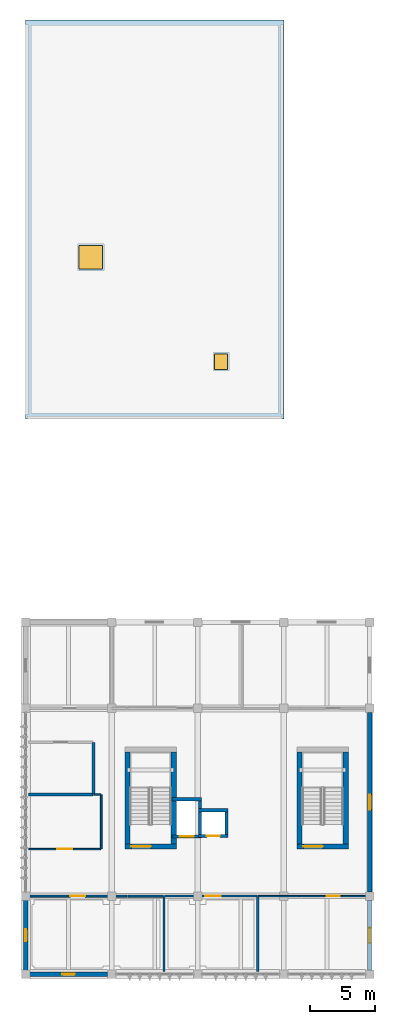
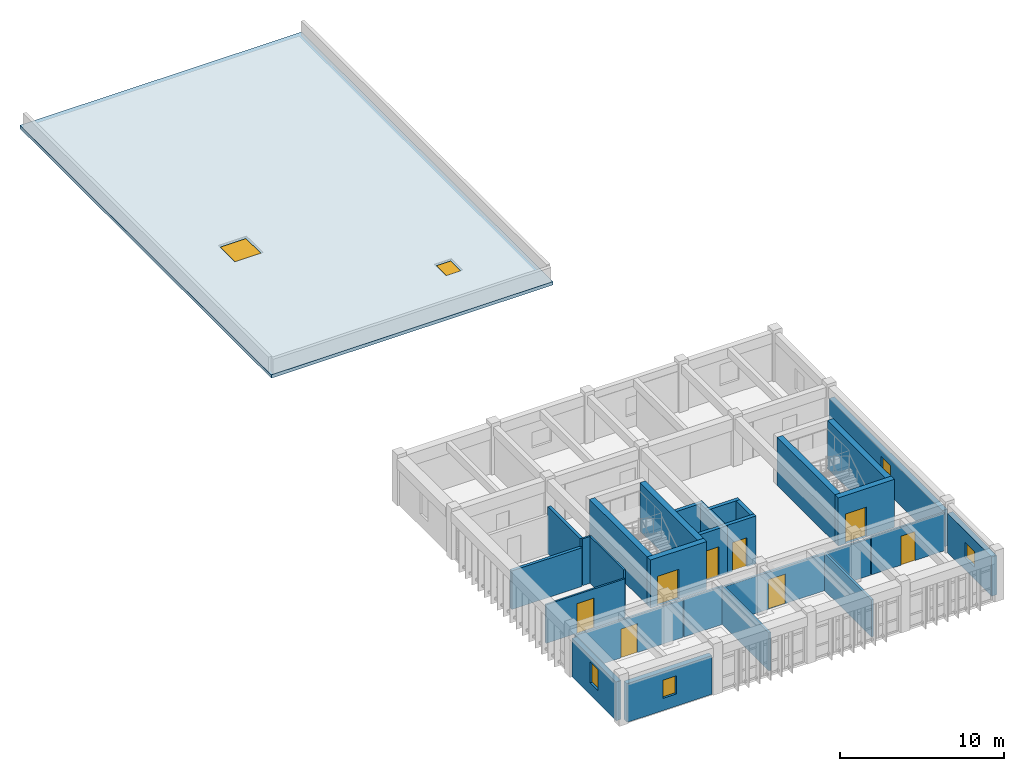
# One storey, part 6 of 9: 28 walls, 9 doors, 5 windows, 1 slab, 14 openings.
"""IFC4 building model written with IfcOpenShell, lengths in metres."""

from ifc_helpers import new_model, si_unit, direction, frame, frame_2d, origin, origin_2d, place, context, subcontext, project, spatial, polyline, rectangle, outline, extrude, material, layer, layer_set, type_object, element, fill, save


model = new_model("IFC4")

# Units and contexts
model_context = context("Model", 3, precision=1e-05, world=origin(), true_north=direction((0.0, 1.0)))
body_context = subcontext(model_context, "Body", "Model", "MODEL_VIEW")
ifc_project = project(units=[si_unit("LENGTHUNIT", "METRE"), si_unit("AREAUNIT", "SQUARE_METRE"), si_unit("VOLUMEUNIT", "CUBIC_METRE"), si_unit("PLANEANGLEUNIT", "RADIAN"), si_unit("MASSUNIT", "GRAM", prefix="KILO")], contexts=[model_context])

# Site, building, storey
site_placement = place(None, origin())
site = spatial("IfcSite", under=ifc_project, at=site_placement, CompositionType="ELEMENT")
building_placement = place(site_placement, origin())
building = spatial("IfcBuilding", under=site, at=building_placement, Name="Miralva Faculty of Natural Sciences", CompositionType="ELEMENT")
storey_placement = place(building_placement, frame((0.0, 0.0, 33.0)))
storey = spatial("IfcBuildingStorey", under=building, at=storey_placement, Name="L07", CompositionType="ELEMENT", Elevation=33.0)

# Slab, openings, door, window
ifc_material_1 = material(Name="Concrete C40/50", Category="concrete")
ifc_layer_1 = layer(ifc_material_1, 0.25, Name="SL-RF01")
ifc_layer_set_1 = layer_set([ifc_layer_1], Name="Concrete C40/50")
slab_type = type_object("IfcSlabType", Name="SL-RF01", PredefinedType="ROOF", material=ifc_layer_set_1)
slab_placement = place(storey_placement, frame((0.0, 0.0, -0.25)))
slab = element("IfcSlab", 1, at=slab_placement, inside=storey, type_object=slab_type, Name="Laboratory Exhaust Plant Maintenance Roof", PredefinedType="ROOF", context=body_context, shape_type="SweptSolid", body=[
    extrude(outline(polyline([(22.800048828125, 45.60009765625), (3.0, 45.60009765625), (3.0, 76.199951171875), (22.800048828125, 76.199951171875), (22.800048828125, 45.60009765625)])), origin(), (0.0, 0.0, 1.0), 0.25),
])
opening_1_placement = place(slab_placement, frame((8.0, 58.0, 0.0)))
opening_1 = element("IfcOpeningElement", 2, at=opening_1_placement, cuts=slab, Name="Opening SK-05", PredefinedType="OPENING", context=body_context, shape_type="SweptSolid", body=[
    extrude(rectangle(XDim=1.800048828125, YDim=1.800048828125, at=origin_2d()), frame((0.0, 0.0, -0.010009765625)), (0.0, 0.0, 1.0), 0.27001953125),
])
opening_2_placement = place(slab_placement, frame((18.0, 50.0, 0.0)))
opening_2 = element("IfcOpeningElement", 3, at=opening_2_placement, cuts=slab, Name="Opening D-08", PredefinedType="OPENING", context=body_context, shape_type="SweptSolid", body=[
    extrude(rectangle(XDim=1.0, YDim=1.199951171875, at=origin_2d()), frame((0.0, 0.0, -0.010009765625)), (0.0, 0.0, 1.0), 0.27001953125),
])
ifc_material_2 = material(Name="Galvanised steel", Category="steel")
door_type_1 = type_object("IfcDoorType", Name="DR-HT01", OperationType="SINGLE_SWING_LEFT", PredefinedType="TRAPDOOR", material=ifc_material_2)
door_1_placement = place(opening_2_placement, frame((0.0, 0.0, 0.199951171875)))
door_1 = element("IfcDoor", 4, at=door_1_placement, inside=storey, type_object=door_type_1, Name="Roof opening D-08 L07-16", OperationType="SINGLE_SWING_LEFT", OverallHeight=1.199951171875, OverallWidth=1.0, PredefinedType="TRAPDOOR", context=body_context, shape_type="SweptSolid", body=[
    extrude(rectangle(XDim=1.0, YDim=1.199951171875, at=origin_2d()), origin(), (0.0, 0.0, 1.0), 0.050048828125),
])
fill(opening_2, door_1)
ifc_material_3 = material(Name="Laminated solar-control glass", Category="glass")
window_type_1 = type_object("IfcWindowType", Name="WN-LDM2", PartitioningType="SINGLE_PANEL", PredefinedType="LIGHTDOME", material=ifc_material_3)
window_1_placement = place(opening_1_placement, frame((0.0, 0.0, 0.199951171875)))
window_1 = element("IfcWindow", 5, at=window_1_placement, inside=storey, type_object=window_type_1, Name="Roof opening SK-05 L07-12", OverallHeight=1.800048828125, OverallWidth=1.800048828125, PartitioningType="SINGLE_PANEL", PredefinedType="LIGHTDOME", context=body_context, shape_type="SweptSolid", body=[
    extrude(rectangle(XDim=1.800048828125, YDim=1.800048828125, at=origin_2d()), origin(), (0.0, 0.0, 1.0), 0.050048828125),
])
fill(opening_1, window_1)

# Wall, opening, door
ifc_material_4 = material(Name="Concrete C50/60", Category="concrete")
ifc_layer_2 = layer(ifc_material_4, 0.39990234375, Name="WL-CW01")
ifc_layer_set_2 = layer_set([ifc_layer_2], Name="Concrete C50/60")
wall_type_1 = type_object("IfcWallType", Name="WL-CW01", PredefinedType="SHEAR", material=ifc_layer_set_2)
wall_1_placement = place(storey_placement, frame((10.60009765625, 12.800048828125, 0.0), z_axis=(0.0, 0.0, 1.0), x_axis=(1.0, 0.0, 0.0)))
wall_1 = element("IfcWall", 6, at=wall_1_placement, inside=storey, type_object=wall_type_1, Name="Core C1 shear wall south L07", PredefinedType="SHEAR", context=body_context, shape_type="SweptSolid", body=[
    extrude(rectangle(XDim=3.949951171875, YDim=0.39990234375, at=frame_2d((1.97509765625, 0.0))), origin(), (0.0, 0.0, 1.0), 3.580078125),
])
opening_3_placement = place(wall_1_placement, frame((0.5, 0.0, 0.0)))
opening_3 = element("IfcOpeningElement", 7, at=opening_3_placement, cuts=wall_1, Name="Opening D-11", PredefinedType="OPENING", context=body_context, shape_type="SweptSolid", body=[
    extrude(rectangle(XDim=1.5, YDim=2.199951171875, at=frame_2d((0.75, 1.10009765625))), frame((0.0, 0.2099609375, 0.0), z_axis=(0.0, -1.0, 0.0), x_axis=(1.0, 0.0, 0.0)), (0.0, 0.0, 1.0), 0.419921875),
])
door_type_2 = type_object("IfcDoorType", Name="DR-DI11", OperationType="DOUBLE_DOOR_SINGLE_SWING", PredefinedType="DOOR", material=ifc_material_2)
door_2_placement = place(opening_3_placement, frame((1.5, 0.0, 0.0), z_axis=(0.0, 0.0, 1.0), x_axis=(-1.0, 0.0, 0.0)))
door_2 = element("IfcDoor", 8, at=door_2_placement, inside=storey, type_object=door_type_2, Name="Protected exit stair door Core C1 L07", OperationType="DOUBLE_DOOR_SINGLE_SWING", OverallHeight=2.199951171875, OverallWidth=1.5, PredefinedType="DOOR", context=body_context, shape_type="SweptSolid", body=[
    extrude(rectangle(XDim=1.5, YDim=2.199951171875, at=frame_2d((0.75, 1.10009765625))), frame((0.0, 0.02490234375, 0.0), z_axis=(0.0, -1.0, 0.0), x_axis=(1.0, 0.0, 0.0)), (0.0, 0.0, 1.0), 0.050048828125),
])
fill(opening_3, door_2)

# Walls
for number, where, z_axis, x_axis, name in (
    (9, (10.800048828125, 13.0, 0.0), (0.0, 0.0, 1.0), (0.0, 1.0, 0.0), "Core C1 shear wall west L07"),
    (10, (14.35009765625, 13.0, 0.0), (0.0, 0.0, 1.0), (0.0, 1.0, 0.0), "Core C1 shear wall east L07"),
):
    element("IfcWall", number, at=place(storey_placement, frame(where, z_axis=z_axis, x_axis=x_axis)), inside=storey, type_object=wall_type_1, Name=name, PredefinedType="SHEAR", context=body_context, shape_type="SweptSolid", body=[
        extrude(rectangle(XDim=7.050048828125, YDim=0.39990234375, at=frame_2d((3.52490234375, 0.0))), origin(), (0.0, 0.0, 1.0), 3.580078125),
    ])

# Wall, opening, door
wall_2_placement = place(storey_placement, frame((23.800048828125, 12.800048828125, 0.0), z_axis=(0.0, 0.0, 1.0), x_axis=(1.0, 0.0, 0.0)))
wall_2 = element("IfcWall", 11, at=wall_2_placement, inside=storey, type_object=wall_type_1, Name="Core C1B shear wall south L07", PredefinedType="SHEAR", context=body_context, shape_type="SweptSolid", body=[
    extrude(rectangle(XDim=3.949951171875, YDim=0.39990234375, at=frame_2d((1.97509765625, 0.0))), origin(), (0.0, 0.0, 1.0), 3.580078125),
])
opening_4_placement = place(wall_2_placement, frame((0.5, 0.0, 0.0)))
opening_4 = element("IfcOpeningElement", 12, at=opening_4_placement, cuts=wall_2, Name="Opening D-11", PredefinedType="OPENING", context=body_context, shape_type="SweptSolid", body=[
    extrude(rectangle(XDim=1.5, YDim=2.199951171875, at=frame_2d((0.75, 1.10009765625))), frame((0.0, 0.2099609375, 0.0), z_axis=(0.0, -1.0, 0.0), x_axis=(1.0, 0.0, 0.0)), (0.0, 0.0, 1.0), 0.419921875),
])
door_3_placement = place(opening_4_placement, frame((1.5, 0.0, 0.0), z_axis=(0.0, 0.0, 1.0), x_axis=(-1.0, 0.0, 0.0)))
door_3 = element("IfcDoor", 13, at=door_3_placement, inside=storey, type_object=door_type_2, Name="Protected exit stair door Core C1B L07", OperationType="DOUBLE_DOOR_SINGLE_SWING", OverallHeight=2.199951171875, OverallWidth=1.5, PredefinedType="DOOR", context=body_context, shape_type="SweptSolid", body=[
    extrude(rectangle(XDim=1.5, YDim=2.199951171875, at=frame_2d((0.75, 1.10009765625))), frame((0.0, 0.02490234375, 0.0), z_axis=(0.0, -1.0, 0.0), x_axis=(1.0, 0.0, 0.0)), (0.0, 0.0, 1.0), 0.050048828125),
])
fill(opening_4, door_3)

# Walls
for number, where, z_axis, x_axis, name in (
    (14, (24.0, 13.0, 0.0), (0.0, 0.0, 1.0), (0.0, 1.0, 0.0), "Core C1B shear wall west L07"),
    (15, (27.550048828125, 13.0, 0.0), (0.0, 0.0, 1.0), (0.0, 1.0, 0.0), "Core C1B shear wall east L07"),
):
    element("IfcWall", number, at=place(storey_placement, frame(where, z_axis=z_axis, x_axis=x_axis)), inside=storey, type_object=wall_type_1, Name=name, PredefinedType="SHEAR", context=body_context, shape_type="SweptSolid", body=[
        extrude(rectangle(XDim=7.050048828125, YDim=0.39990234375, at=frame_2d((3.52490234375, 0.0))), origin(), (0.0, 0.0, 1.0), 3.580078125),
    ])

# Wall, opening, door
ifc_layer_3 = layer(ifc_material_1, 0.25, Name="WL-CW04")
ifc_layer_set_3 = layer_set([ifc_layer_3], Name="Concrete C40/50")
wall_type_2 = type_object("IfcWallType", Name="WL-CW04", PredefinedType="SHEAR", material=ifc_layer_set_3)
wall_3_placement = place(storey_placement, frame((14.205078125, 13.580078125, 0.0), z_axis=(0.0, 0.0, 1.0), x_axis=(1.0, 0.0, 0.0)))
wall_3 = element("IfcWall", 16, at=wall_3_placement, inside=storey, type_object=wall_type_2, Name="Lift L-01 hoistway front wall L07", PredefinedType="SHEAR", context=body_context, shape_type="SweptSolid", body=[
    extrude(rectangle(XDim=2.2900390625, YDim=0.25, at=frame_2d((1.14501953125, 0.0))), origin(), (0.0, 0.0, 1.0), 3.56005859375),
])
opening_5_placement = place(wall_3_placement, frame((0.594970703125, 0.0, 0.0)))
opening_5 = element("IfcOpeningElement", 17, at=opening_5_placement, cuts=wall_3, Name="Opening LD-01", PredefinedType="OPENING", context=body_context, shape_type="SweptSolid", body=[
    extrude(rectangle(XDim=1.10009765625, YDim=2.199951171875, at=frame_2d((0.550048828125, 1.10009765625))), frame((0.0, 0.135009765625, 0.0), z_axis=(0.0, -1.0, 0.0), x_axis=(1.0, 0.0, 0.0)), (0.0, 0.0, 1.0), 0.27001953125),
])
door_type_3 = type_object("IfcDoorType", Name="DR-LD01", OperationType="SLIDING_TO_LEFT", PredefinedType="DOOR", material=ifc_material_2)
door_4_placement = place(opening_5_placement, frame((1.10009765625, 0.0, 0.0), z_axis=(0.0, 0.0, 1.0), x_axis=(-1.0, 0.0, 0.0)))
door_4 = element("IfcDoor", 18, at=door_4_placement, inside=storey, type_object=door_type_3, Name="Lift L-01 sliding landing door L07", OperationType="SLIDING_TO_LEFT", OverallHeight=2.199951171875, OverallWidth=1.10009765625, PredefinedType="DOOR", context=body_context, shape_type="SweptSolid", body=[
    extrude(rectangle(XDim=1.10009765625, YDim=2.199951171875, at=frame_2d((0.550048828125, 1.10009765625))), frame((0.0, 0.02490234375, 0.0), z_axis=(0.0, -1.0, 0.0), x_axis=(1.0, 0.0, 0.0)), (0.0, 0.0, 1.0), 0.050048828125),
])
fill(opening_5, door_4)

# Walls
wall_4_placement = place(storey_placement, frame((14.205078125, 16.419921875, 0.0), z_axis=(0.0, 0.0, 1.0), x_axis=(1.0, 0.0, 0.0)))
element("IfcWall", 19, at=wall_4_placement, inside=storey, type_object=wall_type_2, Name="Lift L-01 hoistway rear wall L07", PredefinedType="SHEAR", context=body_context, shape_type="SweptSolid", body=[
    extrude(rectangle(XDim=2.2900390625, YDim=0.25, at=frame_2d((1.14501953125, 0.0))), origin(), (0.0, 0.0, 1.0), 3.56005859375),
])
wall_5_placement = place(storey_placement, frame((16.3701171875, 13.705078125, 0.0), z_axis=(0.0, 0.0, 1.0), x_axis=(0.0, 1.0, 0.0)))
element("IfcWall", 20, at=wall_5_placement, inside=storey, type_object=wall_type_2, Name="Lift L-01 hoistway E wall L07", PredefinedType="SHEAR", context=body_context, shape_type="SweptSolid", body=[
    extrude(rectangle(XDim=2.58984375, YDim=0.25, at=frame_2d((1.294921875, 0.0))), origin(), (0.0, 0.0, 1.0), 3.56005859375),
])

# Wall, opening, door
wall_6_placement = place(storey_placement, frame((16.2451171875, 13.60498046875, 0.0), z_axis=(0.0, 0.0, 1.0), x_axis=(1.0, 0.0, 0.0)))
wall_6 = element("IfcWall", 21, at=wall_6_placement, inside=storey, type_object=wall_type_2, Name="Lift L-02 hoistway front wall L07", PredefinedType="SHEAR", context=body_context, shape_type="SweptSolid", body=[
    extrude(rectangle(XDim=2.289794921875, YDim=0.25, at=frame_2d((1.14501953125, 0.0))), origin(), (0.0, 0.0, 1.0), 3.56005859375),
])
opening_6_placement = place(wall_6_placement, frame((0.64501953125, 0.0, 0.0)))
opening_6 = element("IfcOpeningElement", 22, at=opening_6_placement, cuts=wall_6, Name="Opening LD-02", PredefinedType="OPENING", context=body_context, shape_type="SweptSolid", body=[
    extrude(rectangle(XDim=1.0, YDim=2.14990234375, at=frame_2d((0.5, 1.074951171875))), frame((0.0, 0.135009765625, 0.0), z_axis=(0.0, -1.0, 0.0), x_axis=(1.0, 0.0, 0.0)), (0.0, 0.0, 1.0), 0.27001953125),
])
door_type_4 = type_object("IfcDoorType", Name="DR-LD02", OperationType="SLIDING_TO_LEFT", PredefinedType="DOOR", material=ifc_material_2)
door_5_placement = place(opening_6_placement, frame((1.0, 0.0, 0.0), z_axis=(0.0, 0.0, 1.0), x_axis=(-1.0, 0.0, 0.0)))
door_5 = element("IfcDoor", 23, at=door_5_placement, inside=storey, type_object=door_type_4, Name="Lift L-02 sliding landing door L07", OperationType="SLIDING_TO_LEFT", OverallHeight=2.14990234375, OverallWidth=1.0, PredefinedType="DOOR", context=body_context, shape_type="SweptSolid", body=[
    extrude(rectangle(XDim=1.0, YDim=2.14990234375, at=frame_2d((0.5, 1.074951171875))), frame((0.0, 0.02490234375, 0.0), z_axis=(0.0, -1.0, 0.0), x_axis=(1.0, 0.0, 0.0)), (0.0, 0.0, 1.0), 0.050048828125),
])
fill(opening_6, door_5)

# Walls
wall_7_placement = place(storey_placement, frame((16.2451171875, 15.594970703125, 0.0), z_axis=(0.0, 0.0, 1.0), x_axis=(1.0, 0.0, 0.0)))
element("IfcWall", 24, at=wall_7_placement, inside=storey, type_object=wall_type_2, Name="Lift L-02 hoistway rear wall L07", PredefinedType="SHEAR", context=body_context, shape_type="SweptSolid", body=[
    extrude(rectangle(XDim=2.289794921875, YDim=0.25, at=frame_2d((1.14501953125, 0.0))), origin(), (0.0, 0.0, 1.0), 3.56005859375),
])
wall_8_placement = place(storey_placement, frame((18.409912109375, 13.72998046875, 0.0), z_axis=(0.0, 0.0, 1.0), x_axis=(0.0, 1.0, 0.0)))
element("IfcWall", 25, at=wall_8_placement, inside=storey, type_object=wall_type_2, Name="Lift L-02 hoistway E wall L07", PredefinedType="SHEAR", context=body_context, shape_type="SweptSolid", body=[
    extrude(rectangle(XDim=1.739990234375, YDim=0.25, at=frame_2d((0.8701171875, 0.0))), origin(), (0.0, 0.0, 1.0), 3.56005859375),
])
ifc_material_5 = material(Name="Gypsum plasterboard")
ifc_layer_4 = layer(ifc_material_5, 0.159912109375, Name="WL-PT03")
ifc_layer_set_4 = layer_set([ifc_layer_4], Name="Gypsum plasterboard")
wall_type_3 = type_object("IfcWallType", Name="WL-PT03", PredefinedType="PARTITIONING", material=ifc_layer_set_4)
wall_9_placement = place(storey_placement, frame((13.60009765625, 3.22998046875, 0.0), z_axis=(0.0, 0.0, 1.0), x_axis=(0.0, 1.0, 0.0)))
element("IfcWall", 26, at=wall_9_placement, inside=storey, type_object=wall_type_3, Name="Interior partition PT-03 L07-507", PredefinedType="PARTITIONING", context=body_context, shape_type="SweptSolid", body=[
    extrude(rectangle(XDim=5.739990234375, YDim=0.159912109375, at=frame_2d((2.8701171875, 0.0))), origin(), (0.0, 0.0, 1.0), 2.824951171875),
])
wall_10_placement = place(storey_placement, frame((20.800048828125, 3.22998046875, 0.0), z_axis=(0.0, 0.0, 1.0), x_axis=(0.0, 1.0, 0.0)))
element("IfcWall", 27, at=wall_10_placement, inside=storey, type_object=wall_type_3, Name="Interior partition PT-03 L07-510", PredefinedType="PARTITIONING", context=body_context, shape_type="SweptSolid", body=[
    extrude(rectangle(XDim=5.739990234375, YDim=0.159912109375, at=frame_2d((2.8701171875, 0.0))), origin(), (0.0, 0.0, 1.0), 2.7548828125),
])

# Wall, opening, door
wall_11_placement = place(storey_placement, frame((13.6298828125, 9.0, 0.0), z_axis=(0.0, 0.0, 1.0), x_axis=(1.0, 0.0, 0.0)))
wall_11 = element("IfcWall", 28, at=wall_11_placement, inside=storey, type_object=wall_type_3, Name="Interior partition PT-03 L07-511", PredefinedType="PARTITIONING", context=body_context, shape_type="SweptSolid", body=[
    extrude(rectangle(XDim=7.14013671875, YDim=0.159912109375, at=frame_2d((3.570068359375, 0.0))), origin(), (0.0, 0.0, 1.0), 2.7548828125),
])
opening_7_placement = place(wall_11_placement, frame((3.159912109375, 0.0, 0.0)))
opening_7 = element("IfcOpeningElement", 29, at=opening_7_placement, cuts=wall_11, Name="Opening D-34", PredefinedType="OPENING", context=body_context, shape_type="SweptSolid", body=[
    extrude(rectangle(XDim=1.179931640625, YDim=2.199951171875, at=frame_2d((0.58984375, 1.10009765625))), frame((0.0, 0.08984375, 0.0), z_axis=(0.0, -1.0, 0.0), x_axis=(1.0, 0.0, 0.0)), (0.0, 0.0, 1.0), 0.179931640625),
])
ifc_material_6 = material(Name="Anodised aluminium", Category="aluminium")
door_type_5 = type_object("IfcDoorType", Name="DR-DI34", OperationType="NOTDEFINED", PredefinedType="DOOR", material=ifc_material_6)
door_6_placement = place(opening_7_placement, origin())
door_6 = element("IfcDoor", 30, at=door_6_placement, inside=storey, type_object=door_type_5, Name="Interior door D-34 L07-191", OperationType="SINGLE_SWING_LEFT", OverallHeight=2.199951171875, OverallWidth=1.179931640625, PredefinedType="DOOR", context=body_context, shape_type="SweptSolid", body=[
    extrude(rectangle(XDim=1.179931640625, YDim=2.199951171875, at=frame_2d((0.58984375, 1.10009765625))), frame((0.0, 0.02490234375, 0.0), z_axis=(0.0, -1.0, 0.0), x_axis=(1.0, 0.0, 0.0)), (0.0, 0.0, 1.0), 0.050048828125),
])
fill(opening_7, door_6)

ifc_layer_5 = layer(ifc_material_5, 0.139892578125, Name="WL-PT04")
ifc_layer_set_5 = layer_set([ifc_layer_5], Name="Gypsum plasterboard")
wall_type_4 = type_object("IfcWallType", Name="WL-PT04", PredefinedType="PARTITIONING", material=ifc_layer_set_5)
wall_12_placement = place(storey_placement, frame((3.22998046875, 9.0, 0.0), z_axis=(0.0, 0.0, 1.0), x_axis=(1.0, 0.0, 0.0)))
wall_12 = element("IfcWall", 31, at=wall_12_placement, inside=storey, type_object=wall_type_4, Name="Interior partition PT-04 L07-508", PredefinedType="PARTITIONING", context=body_context, shape_type="SweptSolid", body=[
    extrude(rectangle(XDim=7.5400390625, YDim=0.139892578125, at=frame_2d((3.77001953125, 0.0))), origin(), (0.0, 0.0, 1.0), 2.794921875),
])
opening_8_placement = place(wall_12_placement, frame((3.195068359375, 0.0, 0.0)))
opening_8 = element("IfcOpeningElement", 32, at=opening_8_placement, cuts=wall_12, Name="Opening D-24", PredefinedType="OPENING", context=body_context, shape_type="SweptSolid", body=[
    extrude(rectangle(XDim=1.14990234375, YDim=2.14990234375, at=frame_2d((0.574951171875, 1.074951171875))), frame((0.0, 0.079833984375, 0.0), z_axis=(0.0, -1.0, 0.0), x_axis=(1.0, 0.0, 0.0)), (0.0, 0.0, 1.0), 0.159912109375),
])
door_type_6 = type_object("IfcDoorType", Name="DR-DI24", OperationType="NOTDEFINED", PredefinedType="DOOR", material=ifc_material_6)
door_7_placement = place(opening_8_placement, origin())
door_7 = element("IfcDoor", 33, at=door_7_placement, inside=storey, type_object=door_type_6, Name="Interior door D-24 L07-190", OperationType="SINGLE_SWING_RIGHT", OverallHeight=2.14990234375, OverallWidth=1.14990234375, PredefinedType="DOOR", context=body_context, shape_type="SweptSolid", body=[
    extrude(rectangle(XDim=1.14990234375, YDim=2.14990234375, at=frame_2d((0.574951171875, 1.074951171875))), frame((0.0, 0.02490234375, 0.0), z_axis=(0.0, -1.0, 0.0), x_axis=(1.0, 0.0, 0.0)), (0.0, 0.0, 1.0), 0.050048828125),
])
fill(opening_8, door_7)

# Wall
wall_13_placement = place(storey_placement, frame((10.830078125, 9.0, 0.0), z_axis=(0.0, 0.0, 1.0), x_axis=(1.0, 0.0, 0.0)))
element("IfcWall", 34, at=wall_13_placement, inside=storey, type_object=wall_type_4, Name="Interior partition PT-04 L07-509", PredefinedType="PARTITIONING", context=body_context, shape_type="SweptSolid", body=[
    extrude(rectangle(XDim=2.739990234375, YDim=0.139892578125, at=frame_2d((1.3701171875, 0.0))), origin(), (0.0, 0.0, 1.0), 2.824951171875),
])

# Wall, opening, door
ifc_layer_6 = layer(ifc_material_5, 0.125, Name="WL-PT05")
ifc_layer_set_6 = layer_set([ifc_layer_6], Name="Gypsum plasterboard")
wall_type_5 = type_object("IfcWallType", Name="WL-PT05", PredefinedType="PARTITIONING", material=ifc_layer_set_6)
wall_14_placement = place(storey_placement, frame((24.030029296875, 9.0, 0.0), z_axis=(0.0, 0.0, 1.0), x_axis=(1.0, 0.0, 0.0)))
wall_14 = element("IfcWall", 35, at=wall_14_placement, inside=storey, type_object=wall_type_5, Name="Interior partition PT-05 L07-512", PredefinedType="PARTITIONING", context=body_context, shape_type="SweptSolid", body=[
    extrude(rectangle(XDim=5.139892578125, YDim=0.125, at=frame_2d((2.56982421875, 0.0))), origin(), (0.0, 0.0, 1.0), 2.824951171875),
])
opening_9_placement = place(wall_14_placement, frame((2.070068359375, 0.0, 0.0)))
opening_9 = element("IfcOpeningElement", 36, at=opening_9_placement, cuts=wall_14, Name="Opening D-25", PredefinedType="OPENING", context=body_context, shape_type="SweptSolid", body=[
    extrude(rectangle(XDim=1.0, YDim=2.14990234375, at=frame_2d((0.5, 1.074951171875))), frame((0.0, 0.072509765625, 0.0), z_axis=(0.0, -1.0, 0.0), x_axis=(1.0, 0.0, 0.0)), (0.0, 0.0, 1.0), 0.14501953125),
])
door_type_7 = type_object("IfcDoorType", Name="DR-DI25", OperationType="NOTDEFINED", PredefinedType="DOOR", material=ifc_material_6)
door_8_placement = place(opening_9_placement, origin())
door_8 = element("IfcDoor", 37, at=door_8_placement, inside=storey, type_object=door_type_7, Name="Interior door D-25 L07-192", OperationType="SINGLE_SWING_RIGHT", OverallHeight=2.14990234375, OverallWidth=1.0, PredefinedType="DOOR", context=body_context, shape_type="SweptSolid", body=[
    extrude(rectangle(XDim=1.0, YDim=2.14990234375, at=frame_2d((0.5, 1.074951171875))), frame((0.0, 0.02490234375, 0.0), z_axis=(0.0, -1.0, 0.0), x_axis=(1.0, 0.0, 0.0)), (0.0, 0.0, 1.0), 0.050048828125),
])
fill(opening_9, door_8)

# Walls
wall_15_placement = place(storey_placement, frame((20.830078125, 9.0, 0.0), z_axis=(0.0, 0.0, 1.0), x_axis=(1.0, 0.0, 0.0)))
element("IfcWall", 38, at=wall_15_placement, inside=storey, type_object=wall_type_5, Name="Interior partition PT-05 L07-513", PredefinedType="PARTITIONING", context=body_context, shape_type="SweptSolid", body=[
    extrude(rectangle(XDim=3.139892578125, YDim=0.125, at=frame_2d((1.56982421875, 0.0))), origin(), (0.0, 0.0, 1.0), 2.7548828125),
])
wall_16_placement = place(storey_placement, frame((8.22998046875, 16.800048828125, 0.0), z_axis=(0.0, 0.0, 1.0), x_axis=(1.0, 0.0, 0.0)))
element("IfcWall", 39, at=wall_16_placement, inside=storey, type_object=wall_type_5, Name="Interior partition PT-05 L07-515", PredefinedType="PARTITIONING", context=body_context, shape_type="SweptSolid", body=[
    extrude(rectangle(XDim=0.5400390625, YDim=0.125, at=frame_2d((0.27001953125, 0.0))), origin(), (0.0, 0.0, 1.0), 3.47998046875),
])
wall_17_placement = place(storey_placement, frame((8.800048828125, 12.6298828125, 0.0), z_axis=(0.0, 0.0, 1.0), x_axis=(0.0, 1.0, 0.0)))
element("IfcWall", 40, at=wall_17_placement, inside=storey, type_object=wall_type_5, Name="Interior partition PT-05 L07-516", PredefinedType="PARTITIONING", context=body_context, shape_type="SweptSolid", body=[
    extrude(rectangle(XDim=4.14013671875, YDim=0.125, at=frame_2d((2.070068359375, 0.0))), origin(), (0.0, 0.0, 1.0), 3.47998046875),
])

# Wall, opening, door
wall_18_placement = place(storey_placement, frame((3.22998046875, 12.60009765625, 0.0), z_axis=(0.0, 0.0, 1.0), x_axis=(1.0, 0.0, 0.0)))
wall_18 = element("IfcWall", 41, at=wall_18_placement, inside=storey, type_object=wall_type_5, Name="Interior partition PT-05 L07-517", PredefinedType="PARTITIONING", context=body_context, shape_type="SweptSolid", body=[
    extrude(rectangle(XDim=5.5400390625, YDim=0.125, at=frame_2d((2.77001953125, 0.0))), origin(), (0.0, 0.0, 1.0), 2.875),
])
opening_10_placement = place(wall_18_placement, frame((2.179931640625, 0.0, 0.0)))
opening_10 = element("IfcOpeningElement", 42, at=opening_10_placement, cuts=wall_18, Name="Opening D-34", PredefinedType="OPENING", context=body_context, shape_type="SweptSolid", body=[
    extrude(rectangle(XDim=1.179931640625, YDim=2.199951171875, at=frame_2d((0.58984375, 1.10009765625))), frame((0.0, 0.072509765625, 0.0), z_axis=(0.0, -1.0, 0.0), x_axis=(1.0, 0.0, 0.0)), (0.0, 0.0, 1.0), 0.14501953125),
])
door_9_placement = place(opening_10_placement, origin())
door_9 = element("IfcDoor", 43, at=door_9_placement, inside=storey, type_object=door_type_5, Name="Interior door D-34 L07-193", OperationType="SINGLE_SWING_LEFT", OverallHeight=2.199951171875, OverallWidth=1.179931640625, PredefinedType="DOOR", context=body_context, shape_type="SweptSolid", body=[
    extrude(rectangle(XDim=1.179931640625, YDim=2.199951171875, at=frame_2d((0.58984375, 1.10009765625))), frame((0.0, 0.02490234375, 0.0), z_axis=(0.0, -1.0, 0.0), x_axis=(1.0, 0.0, 0.0)), (0.0, 0.0, 1.0), 0.050048828125),
])
fill(opening_10, door_9)

# Walls
ifc_layer_7 = layer(ifc_material_5, 0.2099609375, Name="WL-PT06")
ifc_layer_set_7 = layer_set([ifc_layer_7], Name="Gypsum plasterboard")
wall_type_6 = type_object("IfcWallType", Name="WL-PT06", PredefinedType="PLUMBINGWALL", material=ifc_layer_set_7)
wall_19_placement = place(storey_placement, frame((3.22998046875, 16.800048828125, 0.0), z_axis=(0.0, 0.0, 1.0), x_axis=(1.0, 0.0, 0.0)))
element("IfcWall", 44, at=wall_19_placement, inside=storey, type_object=wall_type_6, Name="Interior partition PT-06 L07-514", PredefinedType="PLUMBINGWALL", context=body_context, shape_type="SweptSolid", body=[
    extrude(rectangle(XDim=4.93994140625, YDim=0.2099609375, at=frame_2d((2.469970703125, 0.0))), origin(), (0.0, 0.0, 1.0), 2.875),
])
wall_20_placement = place(storey_placement, frame((8.199951171875, 16.830078125, 0.0), z_axis=(0.0, 0.0, 1.0), x_axis=(0.0, 1.0, 0.0)))
element("IfcWall", 45, at=wall_20_placement, inside=storey, type_object=wall_type_6, Name="Interior partition PT-06 L07-519", PredefinedType="PLUMBINGWALL", context=body_context, shape_type="SweptSolid", body=[
    extrude(rectangle(XDim=3.93994140625, YDim=0.2099609375, at=frame_2d((1.969970703125, 0.0))), origin(), (0.0, 0.0, 1.0), 3.47998046875),
])

# Wall, opening, window
ifc_material_7 = material(Name="Volcanic tuff architectural stone", Category="masonry")
ifc_layer_8 = layer(ifc_material_7, 0.360107421875, Name="WL-WT01")
ifc_layer_set_8 = layer_set([ifc_layer_8], Name="Volcanic tuff architectural stone")
wall_type_7 = type_object("IfcWallType", Name="WL-WT01", PredefinedType="SOLIDWALL", material=ifc_layer_set_8)
wall_21_placement = place(storey_placement, frame((3.304931640625, 3.0, 0.0), z_axis=(0.0, 0.0, 1.0), x_axis=(1.0, 0.0, 0.0)))
wall_21 = element("IfcWall", 46, at=wall_21_placement, inside=storey, type_object=wall_type_7, Name="Exterior wall L07-116", PredefinedType="SOLIDWALL", context=body_context, shape_type="SweptSolid", body=[
    extrude(rectangle(XDim=5.97998046875, YDim=0.360107421875, at=frame_2d((2.989990234375, 0.0))), origin(), (0.0, 0.0, 1.0), 2.875),
])
opening_11_placement = place(wall_21_placement, frame((2.514892578125, 0.0, 0.89990234375)))
opening_11 = element("IfcOpeningElement", 47, at=opening_11_placement, cuts=wall_21, Name="Opening W-46", PredefinedType="OPENING", context=body_context, shape_type="SweptSolid", body=[
    extrude(rectangle(XDim=0.949951171875, YDim=1.35009765625, at=frame_2d((0.47509765625, 0.675048828125))), frame((0.0, 0.18994140625, 0.0), z_axis=(0.0, -1.0, 0.0), x_axis=(1.0, 0.0, 0.0)), (0.0, 0.0, 1.0), 0.380126953125),
])
window_type_2 = type_object("IfcWindowType", Name="WN-W46", PartitioningType="DOUBLE_PANEL_VERTICAL", PredefinedType="WINDOW", material=ifc_material_3)
window_2_placement = place(opening_11_placement, frame((0.949951171875, 0.0, 0.0), z_axis=(0.0, 0.0, 1.0), x_axis=(-1.0, 0.0, 0.0)))
window_2 = element("IfcWindow", 48, at=window_2_placement, inside=storey, type_object=window_type_2, Name="Window W-46 L07-61", OverallHeight=1.35009765625, OverallWidth=0.949951171875, PartitioningType="DOUBLE_PANEL_VERTICAL", PredefinedType="WINDOW", context=body_context, shape_type="SweptSolid", body=[
    extrude(rectangle(XDim=0.949951171875, YDim=1.35009765625, at=frame_2d((0.47509765625, 0.675048828125))), frame((0.0, 0.030029296875, 0.0), z_axis=(0.0, -1.0, 0.0), x_axis=(1.0, 0.0, 0.0)), (0.0, 0.0, 1.0), 0.06005859375),
])
fill(opening_11, window_2)

wall_22_placement = place(storey_placement, frame((3.0, 3.304931640625, 0.0), z_axis=(0.0, 0.0, 1.0), x_axis=(0.0, 1.0, 0.0)))
wall_22 = element("IfcWall", 49, at=wall_22_placement, inside=storey, type_object=wall_type_7, Name="Exterior wall L07-117", PredefinedType="SOLIDWALL", context=body_context, shape_type="SweptSolid", body=[
    extrude(rectangle(XDim=5.380126953125, YDim=0.360107421875, at=frame_2d((2.68994140625, 0.0))), origin(), (0.0, 0.0, 1.0), 2.875),
])
opening_12_placement = place(wall_22_placement, frame((2.215087890625, 0.0, 0.89990234375)))
opening_12 = element("IfcOpeningElement", 50, at=opening_12_placement, cuts=wall_22, Name="Opening W-47", PredefinedType="OPENING", context=body_context, shape_type="SweptSolid", body=[
    extrude(rectangle(XDim=0.949951171875, YDim=1.550048828125, at=frame_2d((0.47509765625, 0.77490234375))), frame((0.0, 0.18994140625, 0.0), z_axis=(0.0, -1.0, 0.0), x_axis=(1.0, 0.0, 0.0)), (0.0, 0.0, 1.0), 0.380126953125),
])
window_type_3 = type_object("IfcWindowType", Name="WN-W47", PartitioningType="DOUBLE_PANEL_VERTICAL", PredefinedType="WINDOW", material=ifc_material_3)
window_3_placement = place(opening_12_placement, origin())
window_3 = element("IfcWindow", 51, at=window_3_placement, inside=storey, type_object=window_type_3, Name="Window W-47 L07-62", OverallHeight=1.550048828125, OverallWidth=0.949951171875, PartitioningType="DOUBLE_PANEL_VERTICAL", PredefinedType="WINDOW", context=body_context, shape_type="SweptSolid", body=[
    extrude(rectangle(XDim=0.949951171875, YDim=1.550048828125, at=frame_2d((0.47509765625, 0.77490234375))), frame((0.0, 0.030029296875, 0.0), z_axis=(0.0, -1.0, 0.0), x_axis=(1.0, 0.0, 0.0)), (0.0, 0.0, 1.0), 0.06005859375),
])
fill(opening_12, window_3)

wall_23_placement = place(storey_placement, frame((29.39990234375, 3.304931640625, 0.0), z_axis=(0.0, 0.0, 1.0), x_axis=(0.0, 1.0, 0.0)))
wall_23 = element("IfcWall", 52, at=wall_23_placement, inside=storey, type_object=wall_type_7, Name="Exterior wall L07-119", PredefinedType="SOLIDWALL", context=body_context, shape_type="SweptSolid", body=[
    extrude(rectangle(XDim=5.380126953125, YDim=0.360107421875, at=frame_2d((2.68994140625, 0.0))), origin(), (0.0, 0.0, 1.0), 2.925048828125),
])
opening_13_placement = place(wall_23_placement, frame((2.114990234375, 0.0, 0.89990234375)))
opening_13 = element("IfcOpeningElement", 53, at=opening_13_placement, cuts=wall_23, Name="Opening W-49", PredefinedType="OPENING", context=body_context, shape_type="SweptSolid", body=[
    extrude(rectangle(XDim=1.14990234375, YDim=1.14990234375, at=frame_2d((0.574951171875, 0.574951171875))), frame((0.0, 0.18994140625, 0.0), z_axis=(0.0, -1.0, 0.0), x_axis=(1.0, 0.0, 0.0)), (0.0, 0.0, 1.0), 0.380126953125),
])
window_type_4 = type_object("IfcWindowType", Name="WN-W49", PartitioningType="DOUBLE_PANEL_VERTICAL", PredefinedType="WINDOW", material=ifc_material_3)
window_4_placement = place(opening_13_placement, frame((1.14990234375, 0.0, 0.0), z_axis=(0.0, 0.0, 1.0), x_axis=(-1.0, 0.0, 0.0)))
window_4 = element("IfcWindow", 54, at=window_4_placement, inside=storey, type_object=window_type_4, Name="Window W-49 L07-64", OverallHeight=1.14990234375, OverallWidth=1.14990234375, PartitioningType="DOUBLE_PANEL_VERTICAL", PredefinedType="WINDOW", context=body_context, shape_type="SweptSolid", body=[
    extrude(rectangle(XDim=1.14990234375, YDim=1.14990234375, at=frame_2d((0.574951171875, 0.574951171875))), frame((0.0, 0.030029296875, 0.0), z_axis=(0.0, -1.0, 0.0), x_axis=(1.0, 0.0, 0.0)), (0.0, 0.0, 1.0), 0.06005859375),
])
fill(opening_13, window_4)

wall_24_placement = place(storey_placement, frame((29.39990234375, 9.31494140625, 0.0), z_axis=(0.0, 0.0, 1.0), x_axis=(0.0, 1.0, 0.0)))
wall_24 = element("IfcWall", 55, at=wall_24_placement, inside=storey, type_object=wall_type_7, Name="Exterior wall L07-120", PredefinedType="SOLIDWALL", context=body_context, shape_type="SweptSolid", body=[
    extrude(rectangle(XDim=13.77001953125, YDim=0.360107421875, at=frame_2d((6.885009765625, 0.0))), origin(), (0.0, 0.0, 1.0), 2.72509765625),
])
opening_14_placement = place(wall_24_placement, frame((6.31005859375, 0.0, 0.89990234375)))
opening_14 = element("IfcOpeningElement", 56, at=opening_14_placement, cuts=wall_24, Name="Opening W-50", PredefinedType="OPENING", context=body_context, shape_type="SweptSolid", body=[
    extrude(rectangle(XDim=1.14990234375, YDim=1.35009765625, at=frame_2d((0.574951171875, 0.675048828125))), frame((0.0, 0.18994140625, 0.0), z_axis=(0.0, -1.0, 0.0), x_axis=(1.0, 0.0, 0.0)), (0.0, 0.0, 1.0), 0.380126953125),
])
window_type_5 = type_object("IfcWindowType", Name="WN-W50", PartitioningType="DOUBLE_PANEL_VERTICAL", PredefinedType="WINDOW", material=ifc_material_3)
window_5_placement = place(opening_14_placement, frame((1.14990234375, 0.0, 0.0), z_axis=(0.0, 0.0, 1.0), x_axis=(-1.0, 0.0, 0.0)))
window_5 = element("IfcWindow", 57, at=window_5_placement, inside=storey, type_object=window_type_5, Name="Window W-50 L07-65", OverallHeight=1.35009765625, OverallWidth=1.14990234375, PartitioningType="DOUBLE_PANEL_VERTICAL", PredefinedType="WINDOW", context=body_context, shape_type="SweptSolid", body=[
    extrude(rectangle(XDim=1.14990234375, YDim=1.35009765625, at=frame_2d((0.574951171875, 0.675048828125))), frame((0.0, 0.030029296875, 0.0), z_axis=(0.0, -1.0, 0.0), x_axis=(1.0, 0.0, 0.0)), (0.0, 0.0, 1.0), 0.06005859375),
])
fill(opening_14, window_5)

save(model, "model.ifc")
